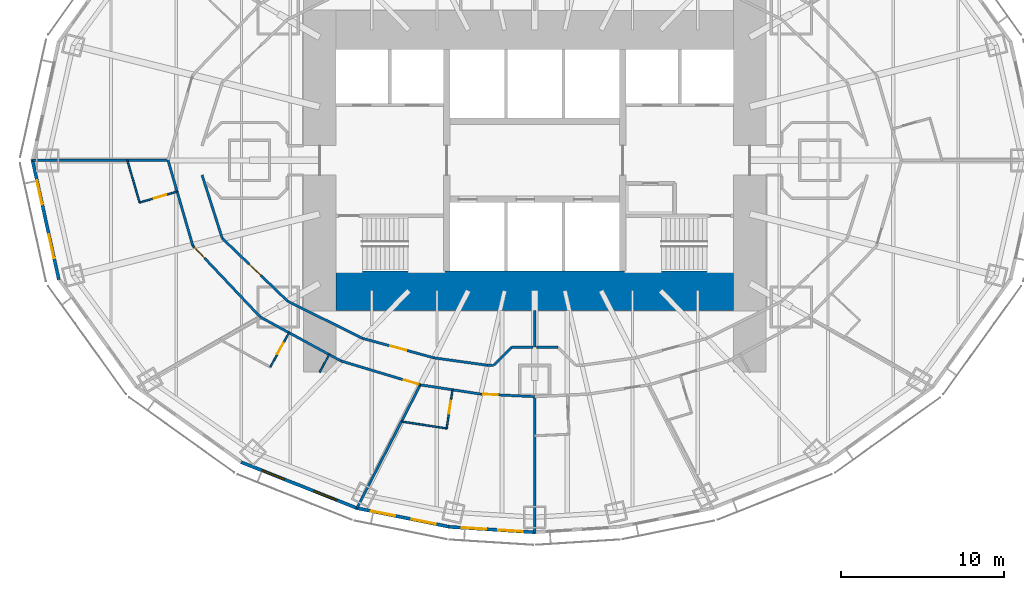
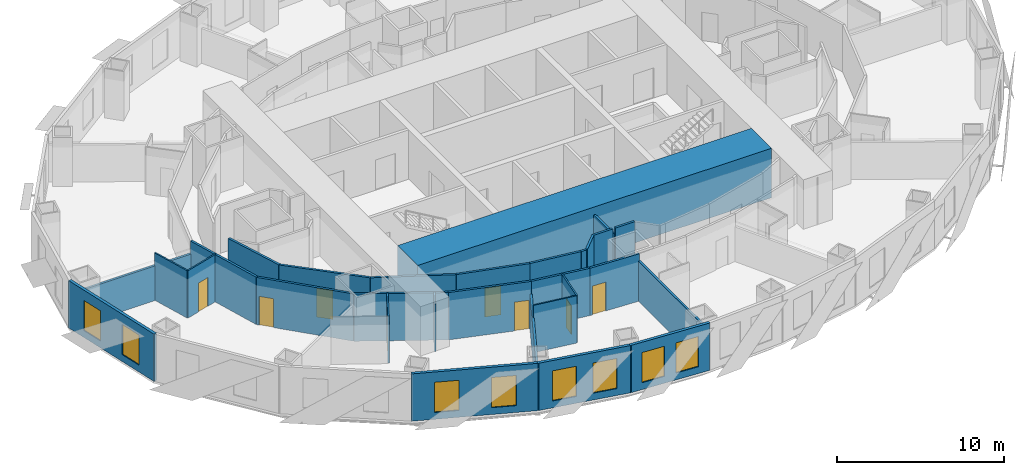
# One storey, part 5 of 15: 30 walls, 8 doors, 8 windows, 16 openings.
"""IFC4 building model written with IfcOpenShell, lengths in metres."""

import ifcopenshell
import ifcopenshell.guid

model = None  # the IFC model being written
_history = None  # IfcOwnerHistory: only IFC2X3 demands one
_inside = {}  # id of a spatial element -> (the spatial element, [elements in it])
_under = {}  # id of a project, library or spatial element -> (it, [spatial elements below it])
_declared = {}  # id of a project -> (the project, [libraries it declares])
_typed = {}  # id of a type object -> (the type object, [elements of that type])
_made_of = {}  # id of a material, layer set ... -> (it, [elements and type objects made of it])


def new_model(schema):
    """Start an empty IFC model of exactly this schema.

    Asked for "IFC4X3", IfcOpenShell would pick the latest addendum, in which some entities
    have other attributes; the version numbers below select the first issue.
    IFC2X3 requires an IfcOwnerHistory on every rooted entity: one is made here for all.
    """
    global model, _history
    if schema == "IFC4X3":
        model = ifcopenshell.file(schema_version=(4, 3, 0, 0))
    else:
        model = ifcopenshell.file(schema=schema)
    _inside.clear()
    _under.clear()
    _declared.clear()
    _typed.clear()
    _made_of.clear()
    _history = None
    if model.schema == "IFC2X3":
        org = make("IfcOrganization", Name="unknown")
        user = make(
            "IfcPersonAndOrganization",
            ThePerson=make("IfcPerson", FamilyName="unknown"),
            TheOrganization=org,
        )
        app = make(
            "IfcApplication",
            ApplicationDeveloper=org,
            Version="unknown",
            ApplicationFullName="unknown",
            ApplicationIdentifier="unknown",
        )
        _history = make(
            "IfcOwnerHistory",
            OwningUser=user,
            OwningApplication=app,
            ChangeAction="ADDED",
            CreationDate=0,
        )
    return model


def make(cls, **values):
    """One entity of the class cls with the attributes given. An attribute that is None is left unset."""
    return model.create_entity(
        cls, **{name: value for name, value in values.items() if value is not None}
    )


def rooted(cls, **values):
    """An entity with a GlobalId (a new one), such as an element, a storey or a relation."""
    return make(cls, GlobalId=ifcopenshell.guid.new(), OwnerHistory=_history, **values)


def si_unit(unit_type, name, prefix=None):
    """IfcSIUnit, for example si_unit("LENGTHUNIT", "METRE", prefix="MILLI")."""
    return make("IfcSIUnit", UnitType=unit_type, Prefix=prefix, Name=name)


def assignment(units):
    """IfcUnitAssignment: the units of a project."""
    return None if units is None else make("IfcUnitAssignment", Units=units)


def point(xyz):
    """IfcCartesianPoint."""
    return None if xyz is None else make("IfcCartesianPoint", Coordinates=xyz)


def direction(xyz):
    """IfcDirection."""
    return None if xyz is None else make("IfcDirection", DirectionRatios=xyz)


def frame(location, z_axis=None, x_axis=None):
    """IfcAxis2Placement3D, a coordinate frame: its origin and axes. An axis left out is left unset."""
    return make(
        "IfcAxis2Placement3D",
        Location=point(location),
        Axis=direction(z_axis),
        RefDirection=direction(x_axis),
    )


def frame_2d(location, x_axis=None):
    """IfcAxis2Placement2D, a coordinate frame in the plane: its origin and x axis."""
    return make(
        "IfcAxis2Placement2D", Location=point(location), RefDirection=direction(x_axis)
    )


def origin():
    """The frame at (0, 0, 0) with its axes left unset."""
    return frame((0.0, 0.0, 0.0))


def place(relative_to, where):
    """IfcLocalPlacement: puts the frame where relative to a parent placement (None: the world)."""
    return make(
        "IfcLocalPlacement", PlacementRelTo=relative_to, RelativePlacement=where
    )


def context(
    kind, dimensions, precision=None, world=None, true_north=None, identifier=None
):
    """IfcGeometricRepresentationContext, for example the 3D "Model" context."""
    return make(
        "IfcGeometricRepresentationContext",
        ContextIdentifier=identifier,
        ContextType=kind,
        CoordinateSpaceDimension=dimensions,
        Precision=precision,
        WorldCoordinateSystem=world,
        TrueNorth=true_north,
    )


def subcontext(parent, identifier, kind, view, scale=None):
    """IfcGeometricRepresentationSubContext, for example "Body" below "Model"."""
    return make(
        "IfcGeometricRepresentationSubContext",
        ContextIdentifier=identifier,
        ContextType=kind,
        ParentContext=parent,
        TargetScale=scale,
        TargetView=view,
    )


def project(units=None, contexts=None):
    """IfcProject with its units and contexts."""
    return rooted(
        "IfcProject",
        Name="project",
        RepresentationContexts=contexts,
        UnitsInContext=assignment(units),
    )


def spatial(cls, under=None, at=None, **own):
    """A site, building, storey or space (cls), placed at a placement, below another one or the project."""
    s = rooted(cls, ObjectPlacement=at, **own)
    if under is not None:
        _under.setdefault(under.id(), (under, []))[1].append(s)
    return s


def profile(cls, at=None, kind="AREA", **sizes):
    """A parametric profile (cls). Its sizes go by their IFC names, for example OverallWidth=200.0."""
    return make(cls, ProfileType=kind, Position=at, **sizes)


def rectangle(**sizes):
    """IfcRectangleProfileDef."""
    return profile("IfcRectangleProfileDef", **sizes)


def extrude(swept, where, along, depth):
    """IfcExtrudedAreaSolid: the profile swept, set in the frame where, extruded along a direction by depth."""
    return make(
        "IfcExtrudedAreaSolid",
        SweptArea=swept,
        Position=where,
        ExtrudedDirection=direction(along),
        Depth=depth,
    )


def shape(context_of_items, identifier, shape_type, items):
    """IfcShapeRepresentation: the items that make up one representation, for example the "Body"."""
    return make(
        "IfcShapeRepresentation",
        ContextOfItems=context_of_items,
        RepresentationIdentifier=identifier,
        RepresentationType=shape_type,
        Items=items,
    )


def material(Name=None, Category=None):
    """IfcMaterial."""
    return make("IfcMaterial", Name=Name, Category=Category)


def layer(
    of_material, thickness, ventilated=None, Name=None, Category=None, Priority=None
):
    """IfcMaterialLayer: one layer of a wall or slab, of a material (None: an air gap)."""
    return make(
        "IfcMaterialLayer",
        Material=of_material,
        LayerThickness=thickness,
        IsVentilated=ventilated,
        Name=Name,
        Category=Category,
        Priority=Priority,
    )


def layer_set(layers, Name=None):
    """IfcMaterialLayerSet."""
    return make("IfcMaterialLayerSet", MaterialLayers=layers, LayerSetName=Name)


def made_of(thing, what):
    """Note that an element or type object is made of a material, layer set ...; save() writes the relation."""
    if what is not None:
        _made_of.setdefault(what.id(), (what, []))[1].append(thing)
    return thing


def type_object(cls, material=None, **own):
    """A type object (cls), such as IfcWallType, which elements share."""
    return made_of(rooted(cls, **own), material)


def element(
    cls,
    number,
    at=None,
    inside=None,
    cuts=None,
    type_object=None,
    material=None,
    context=None,
    identifier="Body",
    shape_type=None,
    held_by="IfcProductDefinitionShape",
    body=None,
    shapes=None,
    **own,
):
    """One element of the class cls, such as IfcWall. Its Tag is "e" and its number.

    at: its placement. inside: the storey or other place that contains it. cuts: it is an
    opening in that element (IfcRelVoidsElement). A single representation is given by context,
    identifier, shape_type and body (its items); several are given by shapes. held_by: the class
    of the entity that holds the representations. save() writes the other relations.
    """
    e = rooted(cls, Tag="e%d" % number, ObjectPlacement=at, **own)
    if body is not None:
        shapes = [shape(context, identifier, shape_type, body)]
    if shapes is not None:
        e.Representation = make(held_by, Representations=shapes)
    if inside is not None:
        _inside.setdefault(inside.id(), (inside, []))[1].append(e)
    if cuts is not None:
        rooted(
            "IfcRelVoidsElement", RelatingBuildingElement=cuts, RelatedOpeningElement=e
        )
    if type_object is not None:
        _typed.setdefault(type_object.id(), (type_object, []))[1].append(e)
    return made_of(e, material)


def fill(opening, filler):
    """IfcRelFillsElement: the door or window that sits in an opening."""
    return rooted(
        "IfcRelFillsElement",
        RelatingOpeningElement=opening,
        RelatedBuildingElement=filler,
    )


def aggregate(whole, parts):
    """IfcRelAggregates: a whole, such as a stair, and the parts it consists of."""
    return rooted("IfcRelAggregates", RelatingObject=whole, RelatedObjects=parts)


def save(model, path):
    """Write the relations noted so far, then the file.

    IfcRelAggregates (storeys below a building ...), IfcRelContainedInSpatialStructure (elements
    in a storey), IfcRelDefinesByType, IfcRelAssociatesMaterial and IfcRelDeclares: one each for
    every whole, place, type object, material and project.
    """
    for whole, parts in _under.values():
        aggregate(whole, parts)
    for where, things in _inside.values():
        rooted(
            "IfcRelContainedInSpatialStructure",
            RelatedElements=things,
            RelatingStructure=where,
        )
    for kind, things in _typed.values():
        rooted("IfcRelDefinesByType", RelatedObjects=things, RelatingType=kind)
    for what, things in _made_of.values():
        rooted("IfcRelAssociatesMaterial", RelatedObjects=things, RelatingMaterial=what)
    for by, libraries in _declared.values():
        rooted("IfcRelDeclares", RelatingContext=by, RelatedDefinitions=libraries)
    model.write(path)


model = new_model("IFC4")

# Units and contexts
model_context = context("Model", 3, precision=1e-05, world=origin(), true_north=direction((0.0, 1.0)))
body_context = subcontext(model_context, "Body", "Model", "MODEL_VIEW")
ifc_project = project(units=[si_unit("LENGTHUNIT", "METRE"), si_unit("AREAUNIT", "SQUARE_METRE"), si_unit("VOLUMEUNIT", "CUBIC_METRE"), si_unit("PLANEANGLEUNIT", "RADIAN"), si_unit("MASSUNIT", "GRAM", prefix="KILO")], contexts=[model_context])

# Site, building, storey
site_placement = place(None, origin())
site = spatial("IfcSite", under=ifc_project, at=site_placement, CompositionType="ELEMENT")
building_placement = place(site_placement, origin())
building = spatial("IfcBuilding", under=site, at=building_placement, Name="Lantaw Convention Tower", CompositionType="ELEMENT")
storey_placement = place(building_placement, frame((0.0, 0.0, 91.0)))
storey = spatial("IfcBuildingStorey", under=building, at=storey_placement, Name="L21", CompositionType="ELEMENT", Elevation=91.0)

# Walls
ifc_material_1 = material(Name="Gypsum board on steel studs", Category="steel")
ifc_layer_1 = layer(ifc_material_1, 0.14990234375)
ifc_layer_set_1 = layer_set([ifc_layer_1], Name="Back of house wall 150")
wall_type_1 = type_object("IfcWallType", Name="Back of house wall 150", PredefinedType="PARTITIONING", material=ifc_layer_set_1)
wall_1_placement = place(storey_placement, frame((0.0, -9.199951171875, 0.0), z_axis=(0.0, 0.0, 1.0), x_axis=(0.0, -1.0, 0.0)))
element("IfcWall", 1, at=wall_1_placement, inside=storey, type_object=wall_type_1, Name="Back of house wall 150", PredefinedType="PARTITIONING", context=body_context, shape_type="SweptSolid", body=[
    extrude(rectangle(XDim=2.26513671875, YDim=0.14990234375, at=frame_2d((1.132568359375, 0.0))), origin(), (0.0, 0.0, 1.0), 3.043701171875),
])
wall_2_placement = place(storey_placement, frame((0.103271484375, -11.47509765625, 0.0), z_axis=(0.0, 0.0, 1.0), x_axis=(1.0, 0.0, 0.0)))
element("IfcWall", 2, at=wall_2_placement, inside=storey, type_object=wall_type_1, Name="Back of house wall 150", PredefinedType="PARTITIONING", context=body_context, shape_type="SweptSolid", body=[
    extrude(rectangle(XDim=1.3212890625, YDim=0.14990234375, at=frame_2d((0.66064453125, 0.0))), origin(), (0.0, 0.0, 1.0), 3.449951171875),
])

# Wall, opening, door
ifc_material_2 = material(Name="Moisture resistant gypsum board on steel studs", Category="steel")
ifc_layer_2 = layer(ifc_material_2, 0.10009765625)
ifc_layer_set_2 = layer_set([ifc_layer_2], Name="Bathroom wall 100")
wall_type_2 = type_object("IfcWallType", Name="Bathroom wall 100", PredefinedType="PARTITIONING", material=ifc_layer_set_2)
wall_3_placement = place(storey_placement, frame((-21.943359375, -1.9208984375, 0.0), z_axis=(0.0, 0.0, 1.0), x_axis=(-0.960496317326, -0.278292695563, 0.0)))
wall_3 = element("IfcWall", 3, at=wall_3_placement, inside=storey, type_object=wall_type_2, Name="Bathroom wall 100", PredefinedType="PARTITIONING", context=body_context, shape_type="SweptSolid", body=[
    extrude(rectangle(XDim=2.400146484375, YDim=0.10009765625, at=frame_2d((1.2001953125, 0.0))), origin(), (0.0, 0.0, 1.0), 3.449951171875),
])
opening_1_placement = place(wall_3_placement, frame((0.699951171875, 0.0, 0.0)))
opening_1 = element("IfcOpeningElement", 4, at=opening_1_placement, cuts=wall_3, Name="Opening L21.37", PredefinedType="OPENING", context=body_context, shape_type="SweptSolid", body=[
    extrude(rectangle(XDim=0.800048828125, YDim=2.10009765625, at=frame_2d((0.39990234375, 1.050048828125))), frame((0.0, 0.06005859375, 0.0), z_axis=(0.0, -1.0, 0.0), x_axis=(1.0, 0.0, 0.0)), (0.0, 0.0, 1.0), 0.1201171875),
])
ifc_material_3 = material(Name="Timber", Category="wood")
door_type_1 = type_object("IfcDoorType", Name="Bathroom door 800", OperationType="SINGLE_SWING_LEFT", PredefinedType="DOOR", material=ifc_material_3)
door_1_placement = place(opening_1_placement, origin())
door_1 = element("IfcDoor", 5, at=door_1_placement, inside=storey, type_object=door_type_1, Name="Bathroom door", OperationType="SINGLE_SWING_LEFT", OverallHeight=2.10009765625, OverallWidth=0.800048828125, PredefinedType="DOOR", context=body_context, shape_type="SweptSolid", body=[
    extrude(rectangle(XDim=0.800048828125, YDim=2.10009765625, at=frame_2d((0.39990234375, 1.050048828125))), frame((0.0, 0.02490234375, 0.0), z_axis=(0.0, -1.0, 0.0), x_axis=(1.0, 0.0, 0.0)), (0.0, 0.0, 1.0), 0.050048828125),
])
fill(opening_1, door_1)

# Wall
wall_4_placement = place(storey_placement, frame((-24.248779296875, -2.5888671875, 0.0), z_axis=(0.0, 0.0, 1.0), x_axis=(-0.278260412958, 0.960505670249, 0.0)))
element("IfcWall", 6, at=wall_4_placement, inside=storey, type_object=wall_type_2, Name="Bathroom wall 100", PredefinedType="PARTITIONING", context=body_context, shape_type="SweptSolid", body=[
    extrude(rectangle(XDim=2.6953125, YDim=0.10009765625, at=frame_2d((1.34765625, 0.0))), origin(), (0.0, 0.0, 1.0), 3.449951171875),
])

# Wall, opening, door
wall_5_placement = place(storey_placement, frame((-15.078125, -10.57568359375, 0.0), z_axis=(0.0, 0.0, 1.0), x_axis=(-0.477832549678, -0.878450940274, 0.0)))
wall_5 = element("IfcWall", 7, at=wall_5_placement, inside=storey, type_object=wall_type_2, Name="Bathroom wall 100", PredefinedType="PARTITIONING", context=body_context, shape_type="SweptSolid", body=[
    extrude(rectangle(XDim=2.39990234375, YDim=0.10009765625, at=frame_2d((1.199951171875, 0.0))), origin(), (0.0, 0.0, 1.0), 3.449951171875),
])
opening_2_placement = place(wall_5_placement, frame((0.699951171875, 0.0, 0.0)))
opening_2 = element("IfcOpeningElement", 8, at=opening_2_placement, cuts=wall_5, Name="Opening L21.39", PredefinedType="OPENING", context=body_context, shape_type="SweptSolid", body=[
    extrude(rectangle(XDim=0.800048828125, YDim=2.10009765625, at=frame_2d((0.39990234375, 1.050048828125))), frame((0.0, 0.06005859375, 0.0), z_axis=(0.0, -1.0, 0.0), x_axis=(1.0, 0.0, 0.0)), (0.0, 0.0, 1.0), 0.1201171875),
])
door_2_placement = place(opening_2_placement, origin())
door_2 = element("IfcDoor", 9, at=door_2_placement, inside=storey, type_object=door_type_1, Name="Bathroom door", OperationType="SINGLE_SWING_LEFT", OverallHeight=2.10009765625, OverallWidth=0.800048828125, PredefinedType="DOOR", context=body_context, shape_type="SweptSolid", body=[
    extrude(rectangle(XDim=0.800048828125, YDim=2.10009765625, at=frame_2d((0.39990234375, 1.050048828125))), frame((0.0, 0.02490234375, 0.0), z_axis=(0.0, -1.0, 0.0), x_axis=(1.0, 0.0, 0.0)), (0.0, 0.0, 1.0), 0.050048828125),
])
fill(opening_2, door_2)

wall_6_placement = place(storey_placement, frame((-5.042236328125, -14.077880859375, 0.0), z_axis=(0.0, 0.0, 1.0), x_axis=(-0.150856962013, -0.988555601376, 0.0)))
wall_6 = element("IfcWall", 10, at=wall_6_placement, inside=storey, type_object=wall_type_2, Name="Bathroom wall 100", PredefinedType="PARTITIONING", context=body_context, shape_type="SweptSolid", body=[
    extrude(rectangle(XDim=2.400146484375, YDim=0.10009765625, at=frame_2d((1.2001953125, 0.0))), origin(), (0.0, 0.0, 1.0), 3.449951171875),
])
opening_3_placement = place(wall_6_placement, frame((0.699951171875, 0.0, 0.0)))
opening_3 = element("IfcOpeningElement", 11, at=opening_3_placement, cuts=wall_6, Name="Opening L21.41", PredefinedType="OPENING", context=body_context, shape_type="SweptSolid", body=[
    extrude(rectangle(XDim=0.800048828125, YDim=2.10009765625, at=frame_2d((0.39990234375, 1.050048828125))), frame((0.0, 0.06005859375, 0.0), z_axis=(0.0, -1.0, 0.0), x_axis=(1.0, 0.0, 0.0)), (0.0, 0.0, 1.0), 0.1201171875),
])
door_3_placement = place(opening_3_placement, origin())
door_3 = element("IfcDoor", 12, at=door_3_placement, inside=storey, type_object=door_type_1, Name="Bathroom door", OperationType="SINGLE_SWING_LEFT", OverallHeight=2.10009765625, OverallWidth=0.800048828125, PredefinedType="DOOR", context=body_context, shape_type="SweptSolid", body=[
    extrude(rectangle(XDim=0.800048828125, YDim=2.10009765625, at=frame_2d((0.39990234375, 1.050048828125))), frame((0.0, 0.02490234375, 0.0), z_axis=(0.0, -1.0, 0.0), x_axis=(1.0, 0.0, 0.0)), (0.0, 0.0, 1.0), 0.050048828125),
])
fill(opening_3, door_3)

# Walls
wall_7_placement = place(storey_placement, frame((-5.404296875, -16.450439453125, 0.0), z_axis=(0.0, 0.0, 1.0), x_axis=(-0.988568792086, 0.150770498819, 0.0)))
element("IfcWall", 13, at=wall_7_placement, inside=storey, type_object=wall_type_2, Name="Bathroom wall 100", PredefinedType="PARTITIONING", context=body_context, shape_type="SweptSolid", body=[
    extrude(rectangle(XDim=2.794921875, YDim=0.10009765625, at=frame_2d((1.3974609375, 0.0))), origin(), (0.0, 0.0, 1.0), 3.449951171875),
])
ifc_material_4 = material(Name="Concrete C60/75", Category="concrete")
ifc_layer_3 = layer(ifc_material_4, 2.39990234375)
ifc_layer_set_3 = layer_set([ifc_layer_3], Name="Core wall 2400")
wall_type_3 = type_object("IfcWallType", Name="Core wall 2400", PredefinedType="SHEAR", material=ifc_layer_set_3)
wall_8_placement = place(storey_placement, frame((-12.199951171875, -8.0, 0.0), z_axis=(0.0, 0.0, 1.0), x_axis=(1.0, 0.0, 0.0)))
element("IfcWall", 14, at=wall_8_placement, inside=storey, type_object=wall_type_3, Name="Core wall S", PredefinedType="SHEAR", context=body_context, shape_type="SweptSolid", body=[
    extrude(rectangle(XDim=24.39990234375, YDim=2.39990234375, at=frame_2d((12.199951171875, 0.0))), origin(), (0.0, 0.0, 1.0), 3.60009765625),
])
ifc_material_5 = material(Name="Gypsum board on steel studs, fire rated", Category="steel")
ifc_layer_4 = layer(ifc_material_5, 0.14990234375)
ifc_layer_set_4 = layer_set([ifc_layer_4], Name="Corridor wall 150 EI 60")
wall_type_4 = type_object("IfcWallType", Name="Corridor wall 150 EI 60", PredefinedType="PARTITIONING", material=ifc_layer_set_4)
wall_9_placement = place(storey_placement, frame((-22.5, 0.0, 0.0), z_axis=(0.0, 0.0, 1.0), x_axis=(0.278247435376, -0.960509429785, 0.0)))
element("IfcWall", 15, at=wall_9_placement, inside=storey, type_object=wall_type_4, Name="Corridor wall 150", PredefinedType="PARTITIONING", context=body_context, shape_type="SweptSolid", body=[
    extrude(rectangle(XDim=5.447021484375, YDim=0.14990234375, at=frame_2d((2.7236328125, 0.0))), origin(), (0.0, 0.0, 1.0), 3.449951171875),
])

# Wall, opening, door
wall_10_placement = place(storey_placement, frame((-20.984375, -5.23193359375, 0.0), z_axis=(0.0, 0.0, 1.0), x_axis=(0.687062608696, -0.726598218916, 0.0)))
wall_10 = element("IfcWall", 16, at=wall_10_placement, inside=storey, type_object=wall_type_4, Name="Corridor wall 150", PredefinedType="PARTITIONING", context=body_context, shape_type="SweptSolid", body=[
    extrude(rectangle(XDim=6.039306640625, YDim=0.14990234375, at=frame_2d((3.01953125, 0.0))), origin(), (0.0, 0.0, 1.0), 3.449951171875),
])
opening_4_placement = place(wall_10_placement, frame((0.14990234375, 0.0, 0.0)))
opening_4 = element("IfcOpeningElement", 17, at=opening_4_placement, cuts=wall_10, Name="Opening L21.38", PredefinedType="OPENING", context=body_context, shape_type="SweptSolid", body=[
    extrude(rectangle(XDim=0.89990234375, YDim=2.10009765625, at=frame_2d((0.449951171875, 1.050048828125))), frame((0.0, 0.0849609375, 0.0), z_axis=(0.0, -1.0, 0.0), x_axis=(1.0, 0.0, 0.0)), (0.0, 0.0, 1.0), 0.169921875),
])
ifc_material_6 = material(Name="Steel, fire rated", Category="steel")
door_type_2 = type_object("IfcDoorType", Name="Guest room entrance door FD30S", OperationType="SINGLE_SWING_LEFT", PredefinedType="DOOR", material=ifc_material_6)
door_4_placement = place(opening_4_placement, origin())
door_4 = element("IfcDoor", 18, at=door_4_placement, inside=storey, type_object=door_type_2, Name="Junior suite entrance door", OperationType="SINGLE_SWING_LEFT", OverallHeight=2.10009765625, OverallWidth=0.89990234375, PredefinedType="DOOR", context=body_context, shape_type="SweptSolid", body=[
    extrude(rectangle(XDim=0.89990234375, YDim=2.10009765625, at=frame_2d((0.449951171875, 1.050048828125))), frame((0.0, 0.02490234375, 0.0), z_axis=(0.0, -1.0, 0.0), x_axis=(1.0, 0.0, 0.0)), (0.0, 0.0, 1.0), 0.050048828125),
])
fill(opening_4, door_4)

# Wall
wall_11_placement = place(storey_placement, frame((-16.8349609375, -9.6201171875, 0.0), z_axis=(0.0, 0.0, 1.0), x_axis=(0.878450059298, -0.477834169267, 0.0)))
element("IfcWall", 19, at=wall_11_placement, inside=storey, type_object=wall_type_4, Name="Corridor wall 150", PredefinedType="PARTITIONING", context=body_context, shape_type="SweptSolid", body=[
    extrude(rectangle(XDim=5.630859375, YDim=0.14990234375, at=frame_2d((2.8154296875, 0.0))), origin(), (0.0, 0.0, 1.0), 3.449951171875),
])

# Wall, opening, door
wall_12_placement = place(storey_placement, frame((-11.888427734375, -12.310791015625, 0.0), z_axis=(0.0, 0.0, 1.0), x_axis=(0.957564241242, -0.288219922793, 0.0)))
wall_12 = element("IfcWall", 20, at=wall_12_placement, inside=storey, type_object=wall_type_4, Name="Corridor wall 150", PredefinedType="PARTITIONING", context=body_context, shape_type="SweptSolid", body=[
    extrude(rectangle(XDim=5.0849609375, YDim=0.14990234375, at=frame_2d((2.54248046875, 0.0))), origin(), (0.0, 0.0, 1.0), 3.449951171875),
])
opening_5_placement = place(wall_12_placement, frame((4.03466796875, 0.0, 0.0)))
opening_5 = element("IfcOpeningElement", 21, at=opening_5_placement, cuts=wall_12, Name="Opening L21.40", PredefinedType="OPENING", context=body_context, shape_type="SweptSolid", body=[
    extrude(rectangle(XDim=0.89990234375, YDim=2.10009765625, at=frame_2d((0.449951171875, 1.050048828125))), frame((0.0, 0.0849609375, 0.0), z_axis=(0.0, -1.0, 0.0), x_axis=(1.0, 0.0, 0.0)), (0.0, 0.0, 1.0), 0.169921875),
])
door_5_placement = place(opening_5_placement, origin())
door_5 = element("IfcDoor", 22, at=door_5_placement, inside=storey, type_object=door_type_2, Name="Junior suite entrance door", OperationType="SINGLE_SWING_LEFT", OverallHeight=2.10009765625, OverallWidth=0.89990234375, PredefinedType="DOOR", context=body_context, shape_type="SweptSolid", body=[
    extrude(rectangle(XDim=0.89990234375, YDim=2.10009765625, at=frame_2d((0.449951171875, 1.050048828125))), frame((0.0, 0.02490234375, 0.0), z_axis=(0.0, -1.0, 0.0), x_axis=(1.0, 0.0, 0.0)), (0.0, 0.0, 1.0), 0.050048828125),
])
fill(opening_5, door_5)

# Wall
wall_13_placement = place(storey_placement, frame((-7.019287109375, -13.7763671875, 0.0), z_axis=(0.0, 0.0, 1.0), x_axis=(0.988564270062, -0.150800145746, 0.0)))
element("IfcWall", 23, at=wall_13_placement, inside=storey, type_object=wall_type_4, Name="Corridor wall 150", PredefinedType="PARTITIONING", context=body_context, shape_type="SweptSolid", body=[
    extrude(rectangle(XDim=3.751220703125, YDim=0.14990234375, at=frame_2d((1.87548828125, 0.0))), origin(), (0.0, 0.0, 1.0), 3.449951171875),
])

# Wall, opening, door
wall_14_placement = place(storey_placement, frame((-3.31103515625, -14.342041015625, 0.0), z_axis=(0.0, 0.0, 1.0), x_axis=(0.998863968075, -0.047652631422, 0.0)))
wall_14 = element("IfcWall", 24, at=wall_14_placement, inside=storey, type_object=wall_type_4, Name="Corridor wall 150", PredefinedType="PARTITIONING", context=body_context, shape_type="SweptSolid", body=[
    extrude(rectangle(XDim=3.314697265625, YDim=0.14990234375, at=frame_2d((1.6572265625, 0.0))), origin(), (0.0, 0.0, 1.0), 3.449951171875),
])
opening_6_placement = place(wall_14_placement, frame((0.14990234375, 0.0, 0.0)))
opening_6 = element("IfcOpeningElement", 25, at=opening_6_placement, cuts=wall_14, Name="Opening L21.42", PredefinedType="OPENING", context=body_context, shape_type="SweptSolid", body=[
    extrude(rectangle(XDim=0.89990234375, YDim=2.10009765625, at=frame_2d((0.449951171875, 1.050048828125))), frame((0.0, 0.0849609375, 0.0), z_axis=(0.0, -1.0, 0.0), x_axis=(1.0, 0.0, 0.0)), (0.0, 0.0, 1.0), 0.169921875),
])
door_6_placement = place(opening_6_placement, origin())
door_6 = element("IfcDoor", 26, at=door_6_placement, inside=storey, type_object=door_type_2, Name="Junior suite entrance door", OperationType="SINGLE_SWING_LEFT", OverallHeight=2.10009765625, OverallWidth=0.89990234375, PredefinedType="DOOR", context=body_context, shape_type="SweptSolid", body=[
    extrude(rectangle(XDim=0.89990234375, YDim=2.10009765625, at=frame_2d((0.449951171875, 1.050048828125))), frame((0.0, 0.02490234375, 0.0), z_axis=(0.0, -1.0, 0.0), x_axis=(1.0, 0.0, 0.0)), (0.0, 0.0, 1.0), 0.050048828125),
])
fill(opening_6, door_6)

# Wall
wall_15_placement = place(storey_placement, frame((-20.413330078125, -0.89990234375, 0.0), z_axis=(0.0, 0.0, 1.0), x_axis=(0.303505448228, -0.952829702988, 0.0)))
element("IfcWall", 27, at=wall_15_placement, inside=storey, type_object=wall_type_4, Name="Corridor wall 150", PredefinedType="PARTITIONING", context=body_context, shape_type="SweptSolid", body=[
    extrude(rectangle(XDim=4.073486328125, YDim=0.14990234375, at=frame_2d((2.03662109375, 0.0))), origin(), (0.0, 0.0, 1.0), 3.449951171875),
])

# Wall, opening, door
wall_16_placement = place(storey_placement, frame((-19.177001953125, -4.78125, 0.0), z_axis=(0.0, 0.0, 1.0), x_axis=(0.720837261072, -0.693104352209, 0.0)))
wall_16 = element("IfcWall", 28, at=wall_16_placement, inside=storey, type_object=wall_type_4, Name="Corridor wall 150", PredefinedType="PARTITIONING", context=body_context, shape_type="SweptSolid", body=[
    extrude(rectangle(XDim=5.590087890625, YDim=0.14990234375, at=frame_2d((2.794921875, 0.0))), origin(), (0.0, 0.0, 1.0), 3.449951171875),
])
opening_7_placement = place(wall_16_placement, frame((2.294921875, 0.0, 0.0)))
opening_7 = element("IfcOpeningElement", 29, at=opening_7_placement, cuts=wall_16, Name="Opening L21.22", PredefinedType="OPENING", context=body_context, shape_type="SweptSolid", body=[
    extrude(rectangle(XDim=1.0, YDim=2.10009765625, at=frame_2d((0.5, 1.050048828125))), frame((0.0, 0.0849609375, 0.0), z_axis=(0.0, -1.0, 0.0), x_axis=(1.0, 0.0, 0.0)), (0.0, 0.0, 1.0), 0.169921875),
])
door_type_3 = type_object("IfcDoorType", Name="Service door 1000 FD30", OperationType="SINGLE_SWING_LEFT", PredefinedType="DOOR", material=ifc_material_6)
door_7_placement = place(opening_7_placement, origin())
door_7 = element("IfcDoor", 30, at=door_7_placement, inside=storey, type_object=door_type_3, Name="Staff room door", OperationType="SINGLE_SWING_LEFT", OverallHeight=2.10009765625, OverallWidth=1.0, PredefinedType="DOOR", context=body_context, shape_type="SweptSolid", body=[
    extrude(rectangle(XDim=1.0, YDim=2.10009765625, at=frame_2d((0.5, 1.050048828125))), frame((0.0, 0.02490234375, 0.0), z_axis=(0.0, -1.0, 0.0), x_axis=(1.0, 0.0, 0.0)), (0.0, 0.0, 1.0), 0.050048828125),
])
fill(opening_7, door_7)

# Wall
wall_17_placement = place(storey_placement, frame((-15.1474609375, -8.65576171875, 0.0), z_axis=(0.0, 0.0, 1.0), x_axis=(0.89656943448, -0.442903205177, 0.0)))
element("IfcWall", 31, at=wall_17_placement, inside=storey, type_object=wall_type_4, Name="Corridor wall 150", PredefinedType="PARTITIONING", context=body_context, shape_type="SweptSolid", body=[
    extrude(rectangle(XDim=5.12646484375, YDim=0.14990234375, at=frame_2d((2.563232421875, 0.0))), origin(), (0.0, 0.0, 1.0), 3.449951171875),
])

# Wall, opening, door
wall_18_placement = place(storey_placement, frame((-10.55126953125, -10.92626953125, 0.0), z_axis=(0.0, 0.0, 1.0), x_axis=(0.964644466646, -0.263554648923, 0.0)))
wall_18 = element("IfcWall", 32, at=wall_18_placement, inside=storey, type_object=wall_type_4, Name="Corridor wall 150", PredefinedType="PARTITIONING", context=body_context, shape_type="SweptSolid", body=[
    extrude(rectangle(XDim=4.535400390625, YDim=0.14990234375, at=frame_2d((2.267578125, 0.0))), origin(), (0.0, 0.0, 1.0), 3.449951171875),
])
opening_8_placement = place(wall_18_placement, frame((1.767578125, 0.0, 0.0)))
opening_8 = element("IfcOpeningElement", 33, at=opening_8_placement, cuts=wall_18, Name="Opening L21.21", PredefinedType="OPENING", context=body_context, shape_type="SweptSolid", body=[
    extrude(rectangle(XDim=1.0, YDim=2.10009765625, at=frame_2d((0.5, 1.050048828125))), frame((0.0, 0.0849609375, 0.0), z_axis=(0.0, -1.0, 0.0), x_axis=(1.0, 0.0, 0.0)), (0.0, 0.0, 1.0), 0.169921875),
])
door_8_placement = place(opening_8_placement, origin())
door_8 = element("IfcDoor", 34, at=door_8_placement, inside=storey, type_object=door_type_3, Name="Staff room door", OperationType="SINGLE_SWING_LEFT", OverallHeight=2.10009765625, OverallWidth=1.0, PredefinedType="DOOR", context=body_context, shape_type="SweptSolid", body=[
    extrude(rectangle(XDim=1.0, YDim=2.10009765625, at=frame_2d((0.5, 1.050048828125))), frame((0.0, 0.02490234375, 0.0), z_axis=(0.0, -1.0, 0.0), x_axis=(1.0, 0.0, 0.0)), (0.0, 0.0, 1.0), 0.050048828125),
])
fill(opening_8, door_8)

# Walls
wall_19_placement = place(storey_placement, frame((-6.17626953125, -12.12158203125, 0.0), z_axis=(0.0, 0.0, 1.0), x_axis=(0.990563451353, -0.137054911782, 0.0)))
element("IfcWall", 35, at=wall_19_placement, inside=storey, type_object=wall_type_4, Name="Corridor wall 150", PredefinedType="PARTITIONING", context=body_context, shape_type="SweptSolid", body=[
    extrude(rectangle(XDim=3.304443359375, YDim=0.14990234375, at=frame_2d((1.65234375, 0.0))), origin(), (0.0, 0.0, 1.0), 3.449951171875),
])
wall_20_placement = place(storey_placement, frame((-2.903076171875, -12.574462890625, 0.0), z_axis=(0.0, 0.0, 1.0), x_axis=(0.999061181733, -0.04332153223, 0.0)))
element("IfcWall", 36, at=wall_20_placement, inside=storey, type_object=wall_type_4, Name="Corridor wall 150", PredefinedType="PARTITIONING", context=body_context, shape_type="SweptSolid", body=[
    extrude(rectangle(XDim=0.3662109375, YDim=0.14990234375, at=frame_2d((0.18310546875, 0.0))), origin(), (0.0, 0.0, 1.0), 3.449951171875),
])
wall_21_placement = place(storey_placement, frame((-2.50634765625, -12.57373046875, 0.0), z_axis=(0.0, 0.0, 1.0), x_axis=(0.701622806479, 0.712548550927, 0.0)))
element("IfcWall", 37, at=wall_21_placement, inside=storey, type_object=wall_type_4, Name="Corridor wall 150", PredefinedType="PARTITIONING", context=body_context, shape_type="SweptSolid", body=[
    extrude(rectangle(XDim=1.541748046875, YDim=0.14990234375, at=frame_2d((0.77099609375, 0.0))), origin(), (0.0, 0.0, 1.0), 3.449951171875),
])
wall_22_placement = place(storey_placement, frame((-1.424560546875, -11.47509765625, 0.0), z_axis=(0.0, 0.0, 1.0), x_axis=(1.0, 0.0, 0.0)))
element("IfcWall", 38, at=wall_22_placement, inside=storey, type_object=wall_type_4, Name="Corridor wall 150", PredefinedType="PARTITIONING", context=body_context, shape_type="SweptSolid", body=[
    extrude(rectangle(XDim=1.3212890625, YDim=0.14990234375, at=frame_2d((0.66064453125, 0.0))), origin(), (0.0, 0.0, 1.0), 3.449951171875),
])

# Wall, openings, windows
ifc_material_7 = material(Name="Insulated aluminium panel on steel frame", Category="steel")
ifc_layer_5 = layer(ifc_material_7, 0.199951171875)
ifc_layer_set_5 = layer_set([ifc_layer_5], Name="External wall 200")
wall_type_5 = type_object("IfcWallType", Name="External wall 200", PredefinedType="SOLIDWALL", material=ifc_layer_set_5)
wall_23_placement = place(storey_placement, frame((-30.83544921875, 0.06689453125, 0.0), z_axis=(0.0, 0.0, 1.0), x_axis=(0.215238065514, -0.976561608478, 0.0)))
wall_23 = element("IfcWall", 39, at=wall_23_placement, inside=storey, type_object=wall_type_5, Name="Facade panel wall", PredefinedType="SOLIDWALL", context=body_context, shape_type="SweptSolid", body=[
    extrude(rectangle(XDim=7.562255859375, YDim=0.199951171875, at=frame_2d((3.78125, 0.0))), origin(), (0.0, 0.0, 1.0), 3.449951171875),
])
opening_9_placement = place(wall_23_placement, frame((1.340576171875, 0.0, 0.5)))
opening_9 = element("IfcOpeningElement", 40, at=opening_9_placement, cuts=wall_23, Name="Opening W2", PredefinedType="OPENING", context=body_context, shape_type="SweptSolid", body=[
    extrude(rectangle(XDim=1.5, YDim=2.199951171875, at=frame_2d((0.75, 1.10009765625))), frame((0.0, 0.10986328125, 0.0), z_axis=(0.0, -1.0, 0.0), x_axis=(1.0, 0.0, 0.0)), (0.0, 0.0, 1.0), 0.219970703125),
])
opening_10_placement = place(wall_23_placement, frame((4.7216796875, 0.0, 0.5)))
opening_10 = element("IfcOpeningElement", 41, at=opening_10_placement, cuts=wall_23, Name="Opening W2", PredefinedType="OPENING", context=body_context, shape_type="SweptSolid", body=[
    extrude(rectangle(XDim=1.5, YDim=2.199951171875, at=frame_2d((0.75, 1.10009765625))), frame((0.0, 0.10986328125, 0.0), z_axis=(0.0, -1.0, 0.0), x_axis=(1.0, 0.0, 0.0)), (0.0, 0.0, 1.0), 0.219970703125),
])
ifc_material_8 = material(Name="Aluminium frame, clear insulating glass", Category="aluminium")
window_type = type_object("IfcWindowType", Name="Suite window 1500x2200", PartitioningType="SINGLE_PANEL", PredefinedType="WINDOW", material=ifc_material_8)
window_1_placement = place(opening_9_placement, origin())
window_1 = element("IfcWindow", 42, at=window_1_placement, inside=storey, type_object=window_type, Name="Guest room window", OverallHeight=2.199951171875, OverallWidth=1.5, PartitioningType="SINGLE_PANEL", PredefinedType="WINDOW", context=body_context, shape_type="SweptSolid", body=[
    extrude(rectangle(XDim=1.5, YDim=2.199951171875, at=frame_2d((0.75, 1.10009765625))), frame((0.0, 0.030029296875, 0.0), z_axis=(0.0, -1.0, 0.0), x_axis=(1.0, 0.0, 0.0)), (0.0, 0.0, 1.0), 0.06005859375),
])
fill(opening_9, window_1)
window_2_placement = place(opening_10_placement, origin())
window_2 = element("IfcWindow", 43, at=window_2_placement, inside=storey, type_object=window_type, Name="Guest room window", OverallHeight=2.199951171875, OverallWidth=1.5, PartitioningType="SINGLE_PANEL", PredefinedType="WINDOW", context=body_context, shape_type="SweptSolid", body=[
    extrude(rectangle(XDim=1.5, YDim=2.199951171875, at=frame_2d((0.75, 1.10009765625))), frame((0.0, 0.030029296875, 0.0), z_axis=(0.0, -1.0, 0.0), x_axis=(1.0, 0.0, 0.0)), (0.0, 0.0, 1.0), 0.06005859375),
])
fill(opening_10, window_2)

wall_24_placement = place(storey_placement, frame((-18.018310546875, -18.522705078125, 0.0), z_axis=(0.0, 0.0, 1.0), x_axis=(0.929358351251, -0.369178892895, 0.0)))
wall_24 = element("IfcWall", 44, at=wall_24_placement, inside=storey, type_object=wall_type_5, Name="Facade panel wall", PredefinedType="SOLIDWALL", context=body_context, shape_type="SweptSolid", body=[
    extrude(rectangle(XDim=7.6923828125, YDim=0.199951171875, at=frame_2d((3.84619140625, 0.0))), origin(), (0.0, 0.0, 1.0), 3.449951171875),
])
opening_11_placement = place(wall_24_placement, frame((1.373046875, 0.0, 0.5)))
opening_11 = element("IfcOpeningElement", 45, at=opening_11_placement, cuts=wall_24, Name="Opening W2", PredefinedType="OPENING", context=body_context, shape_type="SweptSolid", body=[
    extrude(rectangle(XDim=1.5, YDim=2.199951171875, at=frame_2d((0.75, 1.10009765625))), frame((0.0, 0.10986328125, 0.0), z_axis=(0.0, -1.0, 0.0), x_axis=(1.0, 0.0, 0.0)), (0.0, 0.0, 1.0), 0.219970703125),
])
opening_12_placement = place(wall_24_placement, frame((4.819091796875, 0.0, 0.5)))
opening_12 = element("IfcOpeningElement", 46, at=opening_12_placement, cuts=wall_24, Name="Opening W2", PredefinedType="OPENING", context=body_context, shape_type="SweptSolid", body=[
    extrude(rectangle(XDim=1.5, YDim=2.199951171875, at=frame_2d((0.75, 1.10009765625))), frame((0.0, 0.10986328125, 0.0), z_axis=(0.0, -1.0, 0.0), x_axis=(1.0, 0.0, 0.0)), (0.0, 0.0, 1.0), 0.219970703125),
])
window_3_placement = place(opening_11_placement, origin())
window_3 = element("IfcWindow", 47, at=window_3_placement, inside=storey, type_object=window_type, Name="Guest room window", OverallHeight=2.199951171875, OverallWidth=1.5, PartitioningType="SINGLE_PANEL", PredefinedType="WINDOW", context=body_context, shape_type="SweptSolid", body=[
    extrude(rectangle(XDim=1.5, YDim=2.199951171875, at=frame_2d((0.75, 1.10009765625))), frame((0.0, 0.030029296875, 0.0), z_axis=(0.0, -1.0, 0.0), x_axis=(1.0, 0.0, 0.0)), (0.0, 0.0, 1.0), 0.06005859375),
])
fill(opening_11, window_3)
window_4_placement = place(opening_12_placement, origin())
window_4 = element("IfcWindow", 48, at=window_4_placement, inside=storey, type_object=window_type, Name="Guest room window", OverallHeight=2.199951171875, OverallWidth=1.5, PartitioningType="SINGLE_PANEL", PredefinedType="WINDOW", context=body_context, shape_type="SweptSolid", body=[
    extrude(rectangle(XDim=1.5, YDim=2.199951171875, at=frame_2d((0.75, 1.10009765625))), frame((0.0, 0.030029296875, 0.0), z_axis=(0.0, -1.0, 0.0), x_axis=(1.0, 0.0, 0.0)), (0.0, 0.0, 1.0), 0.06005859375),
])
fill(opening_12, window_4)

wall_25_placement = place(storey_placement, frame((-10.956787109375, -21.336669921875, 0.0), z_axis=(0.0, 0.0, 1.0), x_axis=(0.980251657452, -0.197754110105, 0.0)))
wall_25 = element("IfcWall", 49, at=wall_25_placement, inside=storey, type_object=wall_type_5, Name="Facade panel wall", PredefinedType="SOLIDWALL", context=body_context, shape_type="SweptSolid", body=[
    extrude(rectangle(XDim=5.90380859375, YDim=0.199951171875, at=frame_2d((2.951904296875, 0.0))), origin(), (0.0, 0.0, 1.0), 3.449951171875),
])
opening_13_placement = place(wall_25_placement, frame((0.92578125, 0.0, 0.5)))
opening_13 = element("IfcOpeningElement", 50, at=opening_13_placement, cuts=wall_25, Name="Opening W2", PredefinedType="OPENING", context=body_context, shape_type="SweptSolid", body=[
    extrude(rectangle(XDim=1.5, YDim=2.199951171875, at=frame_2d((0.75, 1.10009765625))), frame((0.0, 0.10986328125, 0.0), z_axis=(0.0, -1.0, 0.0), x_axis=(1.0, 0.0, 0.0)), (0.0, 0.0, 1.0), 0.219970703125),
])
opening_14_placement = place(wall_25_placement, frame((3.477783203125, 0.0, 0.5)))
opening_14 = element("IfcOpeningElement", 51, at=opening_14_placement, cuts=wall_25, Name="Opening W2", PredefinedType="OPENING", context=body_context, shape_type="SweptSolid", body=[
    extrude(rectangle(XDim=1.5, YDim=2.199951171875, at=frame_2d((0.75, 1.10009765625))), frame((0.0, 0.10986328125, 0.0), z_axis=(0.0, -1.0, 0.0), x_axis=(1.0, 0.0, 0.0)), (0.0, 0.0, 1.0), 0.219970703125),
])
window_5_placement = place(opening_13_placement, origin())
window_5 = element("IfcWindow", 52, at=window_5_placement, inside=storey, type_object=window_type, Name="Guest room window", OverallHeight=2.199951171875, OverallWidth=1.5, PartitioningType="SINGLE_PANEL", PredefinedType="WINDOW", context=body_context, shape_type="SweptSolid", body=[
    extrude(rectangle(XDim=1.5, YDim=2.199951171875, at=frame_2d((0.75, 1.10009765625))), frame((0.0, 0.030029296875, 0.0), z_axis=(0.0, -1.0, 0.0), x_axis=(1.0, 0.0, 0.0)), (0.0, 0.0, 1.0), 0.06005859375),
])
fill(opening_13, window_5)
window_6_placement = place(opening_14_placement, origin())
window_6 = element("IfcWindow", 53, at=window_6_placement, inside=storey, type_object=window_type, Name="Guest room window", OverallHeight=2.199951171875, OverallWidth=1.5, PartitioningType="SINGLE_PANEL", PredefinedType="WINDOW", context=body_context, shape_type="SweptSolid", body=[
    extrude(rectangle(XDim=1.5, YDim=2.199951171875, at=frame_2d((0.75, 1.10009765625))), frame((0.0, 0.030029296875, 0.0), z_axis=(0.0, -1.0, 0.0), x_axis=(1.0, 0.0, 0.0)), (0.0, 0.0, 1.0), 0.06005859375),
])
fill(opening_14, window_6)

wall_26_placement = place(storey_placement, frame((-5.252685546875, -22.493408203125, 0.0), z_axis=(0.0, 0.0, 1.0), x_axis=(0.998018582375, -0.062919863585, 0.0)))
wall_26 = element("IfcWall", 54, at=wall_26_placement, inside=storey, type_object=wall_type_5, Name="Facade panel wall", PredefinedType="SOLIDWALL", context=body_context, shape_type="SweptSolid", body=[
    extrude(rectangle(XDim=5.30419921875, YDim=0.199951171875, at=frame_2d((2.652099609375, 0.0))), origin(), (0.0, 0.0, 1.0), 3.449951171875),
])
opening_15_placement = place(wall_26_placement, frame((0.77587890625, 0.0, 0.5)))
opening_15 = element("IfcOpeningElement", 55, at=opening_15_placement, cuts=wall_26, Name="Opening W2", PredefinedType="OPENING", context=body_context, shape_type="SweptSolid", body=[
    extrude(rectangle(XDim=1.5, YDim=2.199951171875, at=frame_2d((0.75, 1.10009765625))), frame((0.0, 0.10986328125, 0.0), z_axis=(0.0, -1.0, 0.0), x_axis=(1.0, 0.0, 0.0)), (0.0, 0.0, 1.0), 0.219970703125),
])
opening_16_placement = place(wall_26_placement, frame((3.028076171875, 0.0, 0.5)))
opening_16 = element("IfcOpeningElement", 56, at=opening_16_placement, cuts=wall_26, Name="Opening W2", PredefinedType="OPENING", context=body_context, shape_type="SweptSolid", body=[
    extrude(rectangle(XDim=1.5, YDim=2.199951171875, at=frame_2d((0.75, 1.10009765625))), frame((0.0, 0.10986328125, 0.0), z_axis=(0.0, -1.0, 0.0), x_axis=(1.0, 0.0, 0.0)), (0.0, 0.0, 1.0), 0.219970703125),
])
window_7_placement = place(opening_15_placement, origin())
window_7 = element("IfcWindow", 57, at=window_7_placement, inside=storey, type_object=window_type, Name="Guest room window", OverallHeight=2.199951171875, OverallWidth=1.5, PartitioningType="SINGLE_PANEL", PredefinedType="WINDOW", context=body_context, shape_type="SweptSolid", body=[
    extrude(rectangle(XDim=1.5, YDim=2.199951171875, at=frame_2d((0.75, 1.10009765625))), frame((0.0, 0.030029296875, 0.0), z_axis=(0.0, -1.0, 0.0), x_axis=(1.0, 0.0, 0.0)), (0.0, 0.0, 1.0), 0.06005859375),
])
fill(opening_15, window_7)
window_8_placement = place(opening_16_placement, origin())
window_8 = element("IfcWindow", 58, at=window_8_placement, inside=storey, type_object=window_type, Name="Guest room window", OverallHeight=2.199951171875, OverallWidth=1.5, PartitioningType="SINGLE_PANEL", PredefinedType="WINDOW", context=body_context, shape_type="SweptSolid", body=[
    extrude(rectangle(XDim=1.5, YDim=2.199951171875, at=frame_2d((0.75, 1.10009765625))), frame((0.0, 0.030029296875, 0.0), z_axis=(0.0, -1.0, 0.0), x_axis=(1.0, 0.0, 0.0)), (0.0, 0.0, 1.0), 0.06005859375),
])
fill(opening_16, window_8)

# Walls
ifc_material_9 = material(Name="Gypsum board on steel studs, acoustic", Category="steel")
ifc_layer_6 = layer(ifc_material_9, 0.14990234375)
ifc_layer_set_6 = layer_set([ifc_layer_6], Name="Guest room party wall 150")
wall_type_6 = type_object("IfcWallType", Name="Guest room party wall 150", PredefinedType="PARTITIONING", material=ifc_layer_set_6)
wall_27_placement = place(storey_placement, frame((-30.82080078125, 0.0, 0.0), z_axis=(0.0, 0.0, 1.0), x_axis=(1.0, 0.0, 0.0)))
element("IfcWall", 59, at=wall_27_placement, inside=storey, type_object=wall_type_6, Name="Guest room party wall 150", PredefinedType="PARTITIONING", context=body_context, shape_type="SweptSolid", body=[
    extrude(rectangle(XDim=8.32080078125, YDim=0.14990234375, at=frame_2d((4.160400390625, 0.0))), origin(), (0.0, 0.0, 1.0), 2.528076171875),
])
wall_28_placement = place(storey_placement, frame((-10.911865234375, -21.345703125, 0.0), z_axis=(0.0, 0.0, 1.0), x_axis=(0.457327273085, 0.889298468059, 0.0)))
element("IfcWall", 60, at=wall_28_placement, inside=storey, type_object=wall_type_6, Name="Guest room party wall 150", PredefinedType="PARTITIONING", context=body_context, shape_type="SweptSolid", body=[
    extrude(rectangle(XDim=8.511474609375, YDim=0.14990234375, at=frame_2d((4.255859375, 0.0))), origin(), (0.0, 0.0, 1.0), 2.528076171875),
])
wall_29_placement = place(storey_placement, frame((0.0, -22.82470703125, 0.0), z_axis=(0.0, 0.0, 1.0), x_axis=(0.0, 1.0, 0.0)))
element("IfcWall", 61, at=wall_29_placement, inside=storey, type_object=wall_type_6, Name="Guest room party wall 150", PredefinedType="PARTITIONING", context=body_context, shape_type="SweptSolid", body=[
    extrude(rectangle(XDim=8.32470703125, YDim=0.14990234375, at=frame_2d((4.162353515625, 0.0))), origin(), (0.0, 0.0, 1.0), 2.92431640625),
])
ifc_layer_7 = layer(ifc_material_9, 0.10009765625)
ifc_layer_set_7 = layer_set([ifc_layer_7], Name="Office partition 100")
wall_type_7 = type_object("IfcWallType", Name="Office partition 100", PredefinedType="PARTITIONING", material=ifc_layer_set_7)
wall_30_placement = place(storey_placement, frame((-13.199951171875, -13.0, 0.0), z_axis=(0.0, 0.0, 1.0), x_axis=(0.477852414256, 0.878440134665, 0.0)))
element("IfcWall", 62, at=wall_30_placement, inside=storey, type_object=wall_type_7, Name="Office partition 100", PredefinedType="PARTITIONING", context=body_context, shape_type="SweptSolid", body=[
    extrude(rectangle(XDim=1.232421875, YDim=0.10009765625, at=frame_2d((0.6162109375, 0.0))), origin(), (0.0, 0.0, 1.0), 3.449951171875),
])

save(model, "model.ifc")
